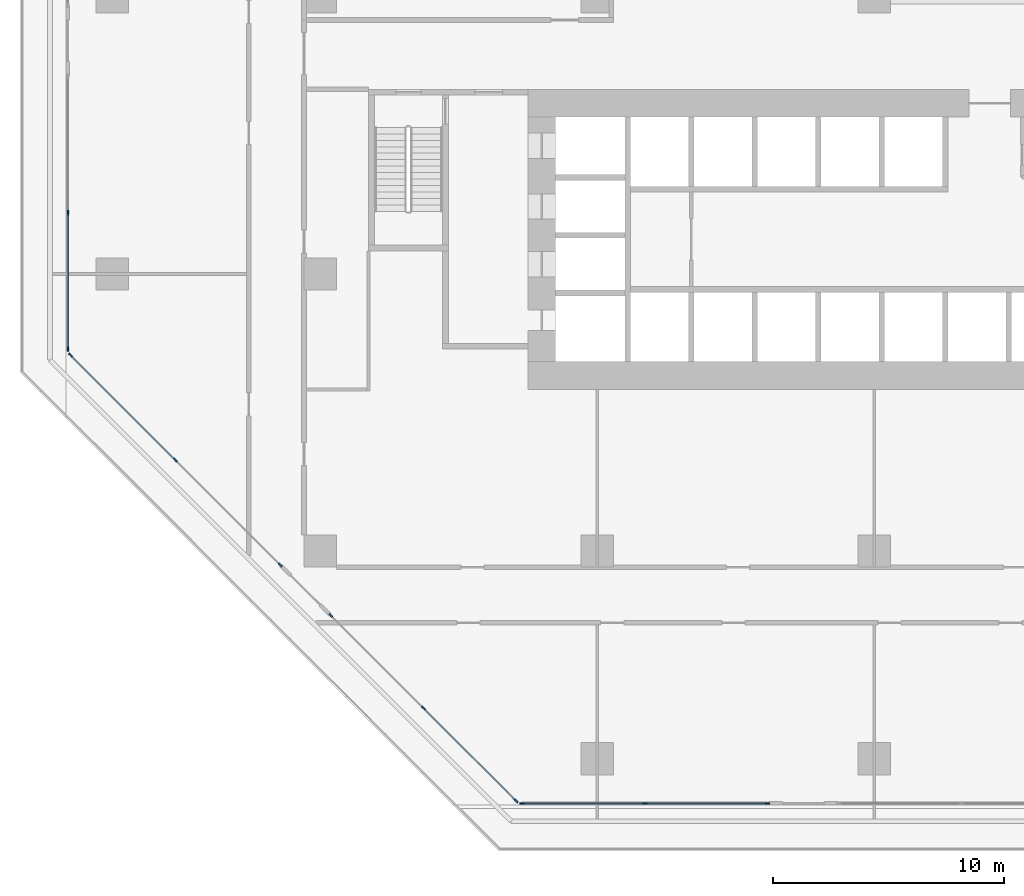
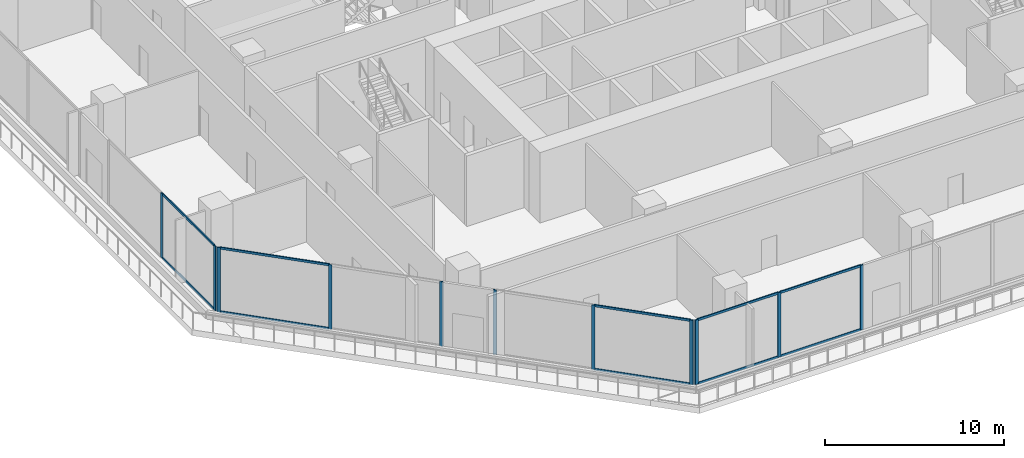
# One storey, part 2 of 31: 21 members, 4 elements without a shape of their own.
"""IFC4 building model written with IfcOpenShell, lengths in metres."""

from ifc_helpers import new_model, si_unit, direction, frame, origin, origin_2d, place, context, subcontext, project, spatial, rectangle, extrude, material, layer, layer_set, material_profile, profile_set, type_object, element, aggregate, save


model = new_model("IFC4")

# Units and contexts
model_context = context("Model", 3, precision=1e-05, world=origin(), true_north=direction((0.0, 1.0)))
body_context = subcontext(model_context, "Body", "Model", "MODEL_VIEW")
ifc_project = project(units=[si_unit("LENGTHUNIT", "METRE"), si_unit("AREAUNIT", "SQUARE_METRE"), si_unit("VOLUMEUNIT", "CUBIC_METRE"), si_unit("PLANEANGLEUNIT", "RADIAN"), si_unit("MASSUNIT", "GRAM", prefix="KILO")], contexts=[model_context])

# Site, building, storey
site_placement = place(None, origin())
site = spatial("IfcSite", under=ifc_project, at=site_placement, CompositionType="ELEMENT")
building_placement = place(site_placement, origin())
building = spatial("IfcBuilding", under=site, at=building_placement, Name="Chenar Terraces", CompositionType="ELEMENT")
storey_placement = place(building_placement, frame((0.0, 0.0, 12.0)))
storey = spatial("IfcBuildingStorey", under=building, at=storey_placement, Name="L02", CompositionType="ELEMENT", Elevation=12.0)

# Curtain wall, members
ifc_material_1 = material(Name="Aluminium framed glazing", Category="aluminium")
ifc_layer = layer(ifc_material_1, 0.14990234375)
ifc_layer_set = layer_set([ifc_layer], Name="Aluminium framed glazing")
curtain_wall_type = type_object("IfcCurtainWallType", Name="School curtain wall", PredefinedType="NOTDEFINED", material=ifc_layer_set)
placement = place(storey_placement, origin())
curtain_wall_1 = element("IfcCurtainWall", 1, at=placement, inside=storey, type_object=curtain_wall_type, Name="School curtain wall", PredefinedType="NOTDEFINED")
ifc_material_2 = material(Name="Aluminium", Category="aluminium")
ifc_material_profile_1 = material_profile(ifc_material_2, rectangle(XDim=0.070068359375, YDim=0.199951171875, at=origin_2d()), Name="School glazing mullion 70 x 200")
ifc_profile_set_1 = profile_set([ifc_material_profile_1], Name="Aluminium")
member_type_1 = type_object("IfcMemberType", Name="School glazing mullion 70 x 200", PredefinedType="MULLION", material=ifc_profile_set_1)
member_1_placement = place(storey_placement, frame((-10.925048828125, 14.655029296875, 0.0), z_axis=(0.0, 0.0, 1.0), x_axis=(1.0, 0.0, 0.0)))
member_1 = element("IfcMember", 2, at=member_1_placement, type_object=member_type_1, Name="CW2-05c3 mullion 2", PredefinedType="MULLION", context=body_context, shape_type="SweptSolid", body=[
    extrude(rectangle(XDim=0.070068359375, YDim=0.199951171875, at=origin_2d()), origin(), (0.0, 0.0, 1.0), 4.39990234375),
])
member_2_placement = place(storey_placement, frame((-10.925048828125, 8.75, 0.0), z_axis=(0.0, 0.0, 1.0), x_axis=(1.0, 0.0, 0.0)))
member_2 = element("IfcMember", 3, at=member_2_placement, type_object=member_type_1, Name="CW2-05c3 mullion 3", PredefinedType="MULLION", context=body_context, shape_type="SweptSolid", body=[
    extrude(rectangle(XDim=0.070068359375, YDim=0.199951171875, at=origin_2d()), origin(), (0.0, 0.0, 1.0), 4.39990234375),
])

curtain_wall_2 = element("IfcCurtainWall", 4, at=placement, inside=storey, type_object=curtain_wall_type, Name="School curtain wall", PredefinedType="NOTDEFINED")
member_3_placement = place(storey_placement, frame((-10.816162109375, 8.4873046875, 0.0), z_axis=(0.0, 0.0, 1.0), x_axis=(0.707106781187, 0.707106781187, 0.0)))
member_3 = element("IfcMember", 5, at=member_3_placement, type_object=member_type_1, Name="CW2-06c0 mullion 1", PredefinedType="MULLION", context=body_context, shape_type="SweptSolid", body=[
    extrude(rectangle(XDim=0.070068359375, YDim=0.199951171875, at=origin_2d()), origin(), (0.0, 0.0, 1.0), 4.39990234375),
])
member_4_placement = place(storey_placement, frame((-6.272216796875, 3.943359375, 0.0), z_axis=(0.0, 0.0, 1.0), x_axis=(0.707106781187, 0.707106781187, 0.0)))
member_4 = element("IfcMember", 6, at=member_4_placement, type_object=member_type_1, Name="CW2-06c0 mullion 2", PredefinedType="MULLION", context=body_context, shape_type="SweptSolid", body=[
    extrude(rectangle(XDim=0.070068359375, YDim=0.199951171875, at=origin_2d()), origin(), (0.0, 0.0, 1.0), 4.39990234375),
])
member_5_placement = place(storey_placement, frame((-1.728271484375, -0.6005859375, 0.0), z_axis=(0.0, 0.0, 1.0), x_axis=(0.707106781187, 0.707106781187, 0.0)))
member_5 = element("IfcMember", 7, at=member_5_placement, type_object=member_type_1, Name="CW2-06c0 mullion 3", PredefinedType="MULLION", context=body_context, shape_type="SweptSolid", body=[
    extrude(rectangle(XDim=0.070068359375, YDim=0.199951171875, at=origin_2d()), origin(), (0.0, 0.0, 1.0), 4.39990234375),
])

curtain_wall_3 = element("IfcCurtainWall", 8, at=placement, inside=storey, type_object=curtain_wall_type, Name="School curtain wall", PredefinedType="NOTDEFINED")
member_6_placement = place(storey_placement, frame((0.460205078125, -2.7890625, 0.0), z_axis=(0.0, 0.0, 1.0), x_axis=(0.707106781187, 0.707106781187, 0.0)))
member_6 = element("IfcMember", 9, at=member_6_placement, type_object=member_type_1, Name="CW2-06c1 mullion 1", PredefinedType="MULLION", context=body_context, shape_type="SweptSolid", body=[
    extrude(rectangle(XDim=0.070068359375, YDim=0.199951171875, at=origin_2d()), origin(), (0.0, 0.0, 1.0), 4.39990234375),
])
member_7_placement = place(storey_placement, frame((4.4736328125, -6.802490234375, 0.0), z_axis=(0.0, 0.0, 1.0), x_axis=(0.707106781187, 0.707106781187, 0.0)))
member_7 = element("IfcMember", 10, at=member_7_placement, type_object=member_type_1, Name="CW2-06c1 mullion 2", PredefinedType="MULLION", context=body_context, shape_type="SweptSolid", body=[
    extrude(rectangle(XDim=0.070068359375, YDim=0.199951171875, at=origin_2d()), origin(), (0.0, 0.0, 1.0), 4.39990234375),
])
member_8_placement = place(storey_placement, frame((8.4873046875, -10.816162109375, 0.0), z_axis=(0.0, 0.0, 1.0), x_axis=(0.707106781187, 0.707106781187, 0.0)))
member_8 = element("IfcMember", 11, at=member_8_placement, type_object=member_type_1, Name="CW2-06c1 mullion 3", PredefinedType="MULLION", context=body_context, shape_type="SweptSolid", body=[
    extrude(rectangle(XDim=0.070068359375, YDim=0.199951171875, at=origin_2d()), origin(), (0.0, 0.0, 1.0), 4.39990234375),
])

curtain_wall_4 = element("IfcCurtainWall", 12, at=placement, inside=storey, type_object=curtain_wall_type, Name="School curtain wall", PredefinedType="NOTDEFINED")
member_9_placement = place(storey_placement, frame((8.75, -10.925048828125, 0.0), z_axis=(0.0, 0.0, 1.0), x_axis=(0.0, 1.0, 0.0)))
member_9 = element("IfcMember", 13, at=member_9_placement, type_object=member_type_1, Name="CW2-07c0 mullion 1", PredefinedType="MULLION", context=body_context, shape_type="SweptSolid", body=[
    extrude(rectangle(XDim=0.070068359375, YDim=0.199951171875, at=origin_2d()), origin(), (0.0, 0.0, 1.0), 4.39990234375),
])
member_10_placement = place(storey_placement, frame((14.065673828125, -10.925048828125, 0.0), z_axis=(0.0, 0.0, 1.0), x_axis=(0.0, 1.0, 0.0)))
member_10 = element("IfcMember", 14, at=member_10_placement, type_object=member_type_1, Name="CW2-07c0 mullion 2", PredefinedType="MULLION", context=body_context, shape_type="SweptSolid", body=[
    extrude(rectangle(XDim=0.070068359375, YDim=0.199951171875, at=origin_2d()), origin(), (0.0, 0.0, 1.0), 4.39990234375),
])
member_11_placement = place(storey_placement, frame((19.381591796875, -10.925048828125, 0.0), z_axis=(0.0, 0.0, 1.0), x_axis=(0.0, 1.0, 0.0)))
member_11 = element("IfcMember", 15, at=member_11_placement, type_object=member_type_1, Name="CW2-07c0 mullion 3", PredefinedType="MULLION", context=body_context, shape_type="SweptSolid", body=[
    extrude(rectangle(XDim=0.070068359375, YDim=0.199951171875, at=origin_2d()), origin(), (0.0, 0.0, 1.0), 4.39990234375),
])

# Member
ifc_material_3 = material(Name="Aluminium", Category="aluminium")
ifc_material_profile_2 = material_profile(ifc_material_3, rectangle(XDim=0.070068359375, YDim=0.14990234375, at=origin_2d()), Name="School glazing transom 70 x 150")
ifc_profile_set_2 = profile_set([ifc_material_profile_2], Name="Aluminium")
member_type_2 = type_object("IfcMemberType", Name="School glazing transom 70 x 150", PredefinedType="USERDEFINED", material=ifc_profile_set_2)
member_12_placement = place(storey_placement, frame((-10.925048828125, 14.6201171875, 0.034912109375), z_axis=(0.0, -1.0, 0.0), x_axis=(1.0, 0.0, 0.0)))
member_12 = element("IfcMember", 16, at=member_12_placement, type_object=member_type_2, Name="CW2-05c3 transom 2.1", ObjectType="TRANSOM", PredefinedType="USERDEFINED", context=body_context, shape_type="SweptSolid", body=[
    extrude(rectangle(XDim=0.070068359375, YDim=0.14990234375, at=origin_2d()), origin(), (0.0, 0.0, 1.0), 5.835205078125),
])

member_13_placement = place(storey_placement, frame((-10.925048828125, 14.6201171875, 4.364990234375), z_axis=(0.0, -1.0, 0.0), x_axis=(1.0, 0.0, 0.0)))
member_13 = element("IfcMember", 17, at=member_13_placement, type_object=member_type_2, Name="CW2-05c3 transom 2.2", ObjectType="TRANSOM", PredefinedType="USERDEFINED", context=body_context, shape_type="SweptSolid", body=[
    extrude(rectangle(XDim=0.070068359375, YDim=0.14990234375, at=origin_2d()), origin(), (0.0, 0.0, 1.0), 5.835205078125),
])

aggregate(curtain_wall_1, [member_1, member_2, member_12, member_13])

member_14_placement = place(storey_placement, frame((-10.79150390625, 8.46240234375, 0.034912109375), z_axis=(0.707106781187, -0.707106781187, 0.0), x_axis=(0.707106781187, 0.707106781187, 0.0)))
member_14 = element("IfcMember", 18, at=member_14_placement, type_object=member_type_2, Name="CW2-06c0 transom 1.1", ObjectType="TRANSOM", PredefinedType="USERDEFINED", context=body_context, shape_type="SweptSolid", body=[
    extrude(rectangle(XDim=0.070068359375, YDim=0.14990234375, at=origin_2d()), origin(), (0.0, 0.0, 1.0), 6.35595703125),
])

member_15_placement = place(storey_placement, frame((-10.79150390625, 8.46240234375, 4.364990234375), z_axis=(0.707106781187, -0.707106781187, 0.0), x_axis=(0.707106781187, 0.707106781187, 0.0)))
member_15 = element("IfcMember", 19, at=member_15_placement, type_object=member_type_2, Name="CW2-06c0 transom 1.2", ObjectType="TRANSOM", PredefinedType="USERDEFINED", context=body_context, shape_type="SweptSolid", body=[
    extrude(rectangle(XDim=0.070068359375, YDim=0.14990234375, at=origin_2d()), origin(), (0.0, 0.0, 1.0), 6.35595703125),
])

aggregate(curtain_wall_2, [member_3, member_4, member_5, member_14, member_15])

member_16_placement = place(storey_placement, frame((4.49853515625, -6.827392578125, 0.034912109375), z_axis=(0.707085005629, -0.707128556073, 0.0), x_axis=(0.707128556073, 0.707085005629, 0.0)))
member_16 = element("IfcMember", 20, at=member_16_placement, type_object=member_type_2, Name="CW2-06c1 transom 2.1", ObjectType="TRANSOM", PredefinedType="USERDEFINED", context=body_context, shape_type="SweptSolid", body=[
    extrude(rectangle(XDim=0.070068359375, YDim=0.14990234375, at=origin_2d()), origin(), (0.0, 0.0, 1.0), 5.60595703125),
])

member_17_placement = place(storey_placement, frame((4.49853515625, -6.827392578125, 4.364990234375), z_axis=(0.707085005629, -0.707128556073, 0.0), x_axis=(0.707128556073, 0.707085005629, 0.0)))
member_17 = element("IfcMember", 21, at=member_17_placement, type_object=member_type_2, Name="CW2-06c1 transom 2.2", ObjectType="TRANSOM", PredefinedType="USERDEFINED", context=body_context, shape_type="SweptSolid", body=[
    extrude(rectangle(XDim=0.070068359375, YDim=0.14990234375, at=origin_2d()), origin(), (0.0, 0.0, 1.0), 5.60595703125),
])

aggregate(curtain_wall_3, [member_6, member_7, member_8, member_16, member_17])

member_18_placement = place(storey_placement, frame((8.784912109375, -10.925048828125, 0.034912109375), z_axis=(1.0, 0.0, 0.0), x_axis=(0.0, 1.0, 0.0)))
member_18 = element("IfcMember", 22, at=member_18_placement, type_object=member_type_2, Name="CW2-07c0 transom 1.1", ObjectType="TRANSOM", PredefinedType="USERDEFINED", context=body_context, shape_type="SweptSolid", body=[
    extrude(rectangle(XDim=0.070068359375, YDim=0.14990234375, at=origin_2d()), origin(), (0.0, 0.0, 1.0), 5.245849609375),
])

member_19_placement = place(storey_placement, frame((8.784912109375, -10.925048828125, 4.364990234375), z_axis=(1.0, 0.0, 0.0), x_axis=(0.0, 1.0, 0.0)))
member_19 = element("IfcMember", 23, at=member_19_placement, type_object=member_type_2, Name="CW2-07c0 transom 1.2", ObjectType="TRANSOM", PredefinedType="USERDEFINED", context=body_context, shape_type="SweptSolid", body=[
    extrude(rectangle(XDim=0.070068359375, YDim=0.14990234375, at=origin_2d()), origin(), (0.0, 0.0, 1.0), 5.245849609375),
])

member_20_placement = place(storey_placement, frame((14.100830078125, -10.925048828125, 0.034912109375), z_axis=(1.0, 0.0, 0.0), x_axis=(0.0, 1.0, 0.0)))
member_20 = element("IfcMember", 24, at=member_20_placement, type_object=member_type_2, Name="CW2-07c0 transom 2.1", ObjectType="TRANSOM", PredefinedType="USERDEFINED", context=body_context, shape_type="SweptSolid", body=[
    extrude(rectangle(XDim=0.070068359375, YDim=0.14990234375, at=origin_2d()), origin(), (0.0, 0.0, 1.0), 5.24560546875),
])

member_21_placement = place(storey_placement, frame((14.100830078125, -10.925048828125, 4.364990234375), z_axis=(1.0, 0.0, 0.0), x_axis=(0.0, 1.0, 0.0)))
member_21 = element("IfcMember", 25, at=member_21_placement, type_object=member_type_2, Name="CW2-07c0 transom 2.2", ObjectType="TRANSOM", PredefinedType="USERDEFINED", context=body_context, shape_type="SweptSolid", body=[
    extrude(rectangle(XDim=0.070068359375, YDim=0.14990234375, at=origin_2d()), origin(), (0.0, 0.0, 1.0), 5.24560546875),
])

aggregate(curtain_wall_4, [member_9, member_10, member_11, member_18, member_19, member_20, member_21])

save(model, "model.ifc")
